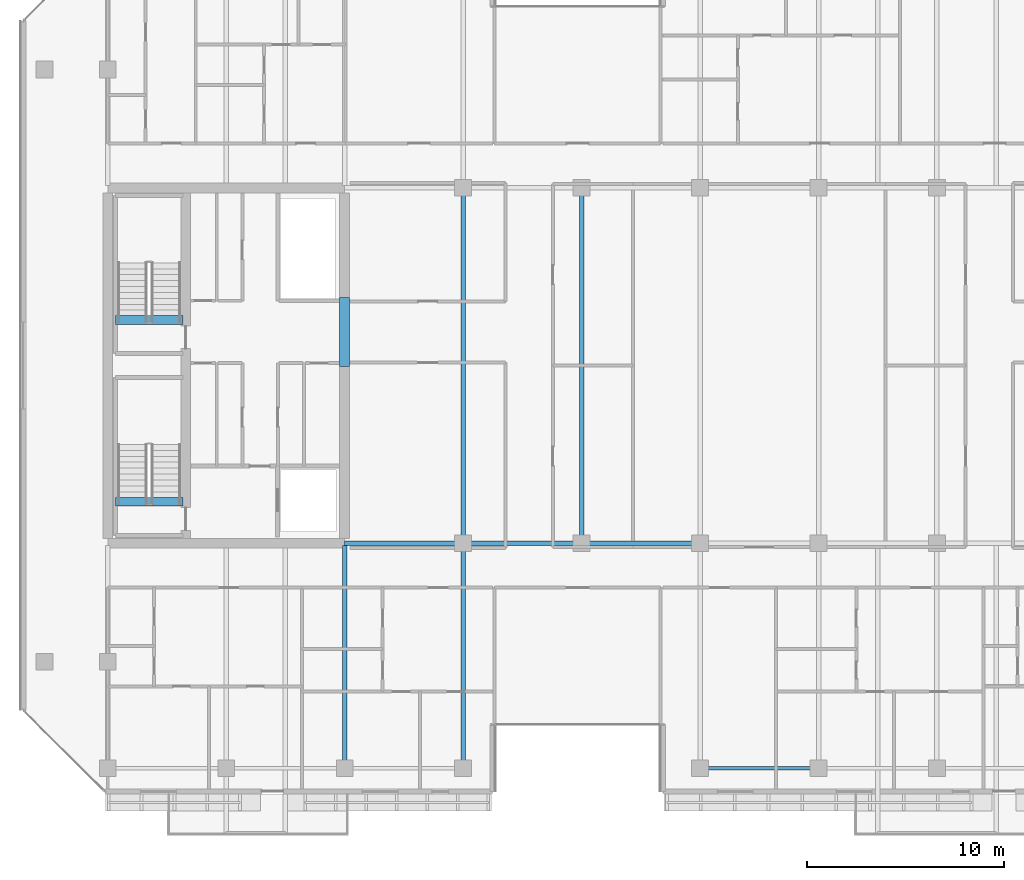
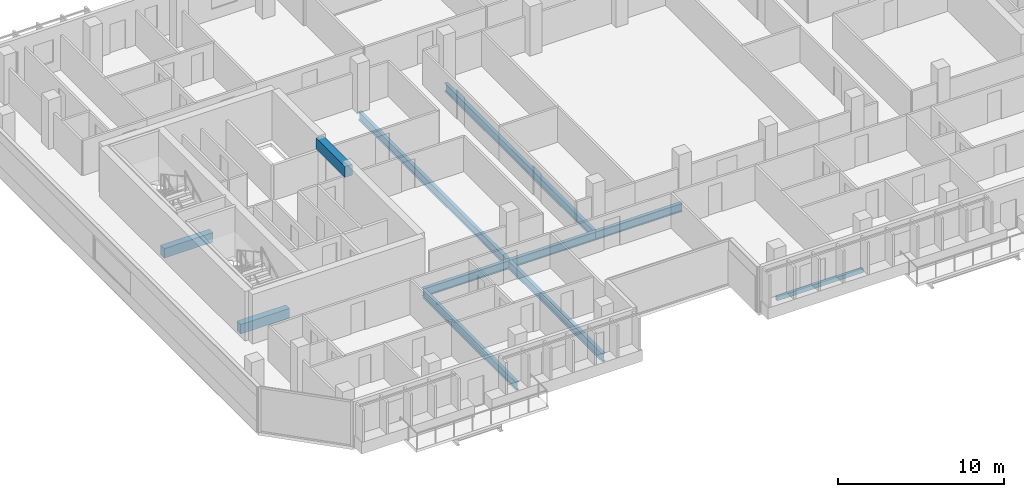
# One storey, part 5 of 31: 11 beams.
"""IFC4 building model written with IfcOpenShell, lengths in metres."""

from ifc_helpers import new_model, si_unit, direction, frame, origin, origin_2d, place, context, subcontext, project, spatial, rectangle, hollow_rectangle, i_section, extrude, material, material_profile, profile_set, type_object, element, save


model = new_model("IFC4")

# Units and contexts
model_context = context("Model", 3, precision=1e-05, world=origin(), true_north=direction((0.0, 1.0)))
body_context = subcontext(model_context, "Body", "Model", "MODEL_VIEW")
ifc_project = project(units=[si_unit("LENGTHUNIT", "METRE"), si_unit("AREAUNIT", "SQUARE_METRE"), si_unit("VOLUMEUNIT", "CUBIC_METRE"), si_unit("PLANEANGLEUNIT", "RADIAN"), si_unit("MASSUNIT", "GRAM", prefix="KILO")], contexts=[model_context])

# Site, building, storey
site_placement = place(None, origin())
site = spatial("IfcSite", under=ifc_project, at=site_placement, CompositionType="ELEMENT")
building_placement = place(site_placement, origin())
building = spatial("IfcBuilding", under=site, at=building_placement, Name="Tanjung Sevakor Pilgrim Tower", CompositionType="ELEMENT")
storey_placement = place(building_placement, frame((0.0, 0.0, 169.2900390625)))
storey = spatial("IfcBuildingStorey", under=building, at=storey_placement, Name="L47", CompositionType="ELEMENT", Elevation=169.2900390625)

# Beams
ifc_material_1 = material(Name="Steel S355J2", Category="steel")
ifc_material_profile_1 = material_profile(ifc_material_1, i_section(OverallWidth=0.230224609375, OverallDepth=0.6171875, WebThickness=0.01318359375, FlangeThickness=0.022216796875, FilletRadius=0.0126953125, at=origin_2d()))
ifc_profile_set_1 = profile_set([ifc_material_profile_1], Name="Steel S355J2")
beam_type_1 = type_object("IfcBeamType", Name="BM-B-G3-UB_610x229x140", PredefinedType="BEAM", material=ifc_profile_set_1)
for number, where, z_axis, x_axis, name in (
    (1, (36.0, 24.60009765625, -0.528564453125), (1.0, 0.0, 0.0), (0.0, 1.0, 0.0), "L47 Primary Floor Girder MAIN Y246-01"),
    (2, (42.0, 24.60009765625, -0.528564453125), (1.0, 0.0, 0.0), (0.0, 1.0, 0.0), "L47 Primary Floor Girder MAIN Y246-02"),
    (3, (48.0, 24.60009765625, -0.528564453125), (1.0, 0.0, 0.0), (0.0, 1.0, 0.0), "L47 Primary Floor Girder MAIN Y246-03"),
):
    element("IfcBeam", number, at=place(storey_placement, frame(where, z_axis=z_axis, x_axis=x_axis)), inside=storey, type_object=beam_type_1, Name=name, PredefinedType="BEAM", context=body_context, shape_type="SweptSolid", body=[
        extrude(i_section(OverallWidth=0.230224609375, OverallDepth=0.6171875, WebThickness=0.01318359375, FlangeThickness=0.022216796875, FilletRadius=0.0126953125, at=origin_2d()), origin(), (0.0, 0.0, 1.0), 6.0),
    ])
ifc_material_2 = material(Name="Steel S355J2", Category="steel")
ifc_material_profile_2 = material_profile(ifc_material_2, i_section(OverallWidth=0.22900390625, OverallDepth=0.6123046875, WebThickness=0.011962890625, FlangeThickness=0.01953125, FilletRadius=0.0126953125, at=origin_2d()))
ifc_profile_set_2 = profile_set([ifc_material_profile_2], Name="Steel S355J2")
beam_type_2 = type_object("IfcBeamType", Name="BM-B-G4-UB_610x229x125", PredefinedType="BEAM", material=ifc_profile_set_2)
beam_1_placement = place(storey_placement, frame((36.0, 13.199951171875, -0.526123046875), z_axis=(0.0, 1.0, 0.0), x_axis=(-1.0, 0.0, 0.0)))
element("IfcBeam", 4, at=beam_1_placement, inside=storey, type_object=beam_type_2, Name="L47 MAIN Girder 003", PredefinedType="BEAM", context=body_context, shape_type="SweptSolid", body=[
    extrude(i_section(OverallWidth=0.22900390625, OverallDepth=0.6123046875, WebThickness=0.011962890625, FlangeThickness=0.01953125, FilletRadius=0.0126953125, at=origin_2d()), origin(), (0.0, 0.0, 1.0), 11.284912109375),
])
beam_2_placement = place(storey_placement, frame((42.0, 13.199951171875, -0.526123046875), z_axis=(0.0, 1.0, 0.0), x_axis=(-1.0, 0.0, 0.0)))
element("IfcBeam", 5, at=beam_2_placement, inside=storey, type_object=beam_type_2, Name="L47 MAIN Girder 005", PredefinedType="BEAM", context=body_context, shape_type="SweptSolid", body=[
    extrude(i_section(OverallWidth=0.22900390625, OverallDepth=0.6123046875, WebThickness=0.011962890625, FlangeThickness=0.01953125, FilletRadius=0.0126953125, at=origin_2d()), origin(), (0.0, 0.0, 1.0), 11.400146484375),
])
for number, where, z_axis, x_axis, name in (
    (6, (42.0, 24.60009765625, -0.526123046875), (0.0, 1.0, 0.0), (-1.0, 0.0, 0.0), "L47 MAIN Girder 006"),
    (7, (48.0, 24.60009765625, -0.526123046875), (0.0, 1.0, 0.0), (-1.0, 0.0, 0.0), "L47 MAIN Girder 008"),
):
    element("IfcBeam", number, at=place(storey_placement, frame(where, z_axis=z_axis, x_axis=x_axis)), inside=storey, type_object=beam_type_2, Name=name, PredefinedType="BEAM", context=body_context, shape_type="SweptSolid", body=[
        extrude(i_section(OverallWidth=0.22900390625, OverallDepth=0.6123046875, WebThickness=0.011962890625, FlangeThickness=0.01953125, FilletRadius=0.0126953125, at=origin_2d()), origin(), (0.0, 0.0, 1.0), 18.0),
    ])
ifc_material_3 = material(Name="Concrete C60/75", Category="concrete")
ifc_material_profile_3 = material_profile(ifc_material_3, rectangle(XDim=0.5, YDim=0.800048828125, at=origin_2d()))
ifc_profile_set_3 = profile_set([ifc_material_profile_3], Name="Concrete C60/75")
beam_type_3 = type_object("IfcBeamType", Name="BM-B-LN2-RC-BM_500x800", PredefinedType="LINTEL", material=ifc_profile_set_3)
beam_3_placement = place(storey_placement, frame((36.0, 33.550048828125, 2.949951171875), z_axis=(0.0, 1.0, 0.0), x_axis=(-1.0, 0.0, 0.0)))
element("IfcBeam", 8, at=beam_3_placement, inside=storey, type_object=beam_type_3, Name="L47 W Core Coupling Lintel", PredefinedType="LINTEL", context=body_context, shape_type="SweptSolid", body=[
    extrude(rectangle(XDim=0.5, YDim=0.800048828125, at=origin_2d()), origin(), (0.0, 0.0, 1.0), 3.5),
])
ifc_material_4 = material(Name="Concrete C60/75", Category="concrete")
ifc_material_profile_4 = material_profile(ifc_material_4, rectangle(XDim=0.449951171875, YDim=0.699951171875, at=origin_2d()))
ifc_profile_set_4 = profile_set([ifc_material_profile_4], Name="Concrete C60/75")
beam_type_4 = type_object("IfcBeamType", Name="BM-B-LN3-RC-BM_450x700", PredefinedType="LINTEL", material=ifc_profile_set_4)
for number, where, z_axis, x_axis, name in (
    (9, (24.39990234375, 26.699951171875, -0.35009765625), (1.0, 0.0, 0.0), (0.0, 1.0, 0.0), "L47 TS-W1 Stair Threshold Beam"),
    (10, (24.39990234375, 35.89990234375, -0.35009765625), (1.0, 0.0, 0.0), (0.0, 1.0, 0.0), "L47 TS-W2 Stair Threshold Beam"),
):
    element("IfcBeam", number, at=place(storey_placement, frame(where, z_axis=z_axis, x_axis=x_axis)), inside=storey, type_object=beam_type_4, Name=name, PredefinedType="LINTEL", context=body_context, shape_type="SweptSolid", body=[
        extrude(rectangle(XDim=0.449951171875, YDim=0.699951171875, at=origin_2d()), origin(), (0.0, 0.0, 1.0), 3.400146484375),
    ])
ifc_material_5 = material(Name="Steel S355J2", Category="steel")
ifc_material_profile_5 = material_profile(ifc_material_5, hollow_rectangle(XDim=0.199951171875, YDim=0.300048828125, WallThickness=0.012451171875, at=origin_2d()))
ifc_profile_set_5 = profile_set([ifc_material_profile_5], Name="Steel S355J2")
beam_type_5 = type_object("IfcBeamType", Name="BM-B-SP3-RHS_300x200x12.5", PredefinedType="SPANDREL", material=ifc_profile_set_5)
beam_4_placement = place(storey_placement, frame((54.0, 13.199951171875, -0.3701171875), z_axis=(1.0, 0.0, 0.0), x_axis=(0.0, 1.0, 0.0)))
element("IfcBeam", 11, at=beam_4_placement, inside=storey, type_object=beam_type_5, Name="L47 Spandrel MAIN S-07", PredefinedType="SPANDREL", context=body_context, shape_type="SweptSolid", body=[
    extrude(hollow_rectangle(XDim=0.199951171875, YDim=0.300048828125, WallThickness=0.012451171875, at=origin_2d()), origin(), (0.0, 0.0, 1.0), 6.0),
])

save(model, "model.ifc")
